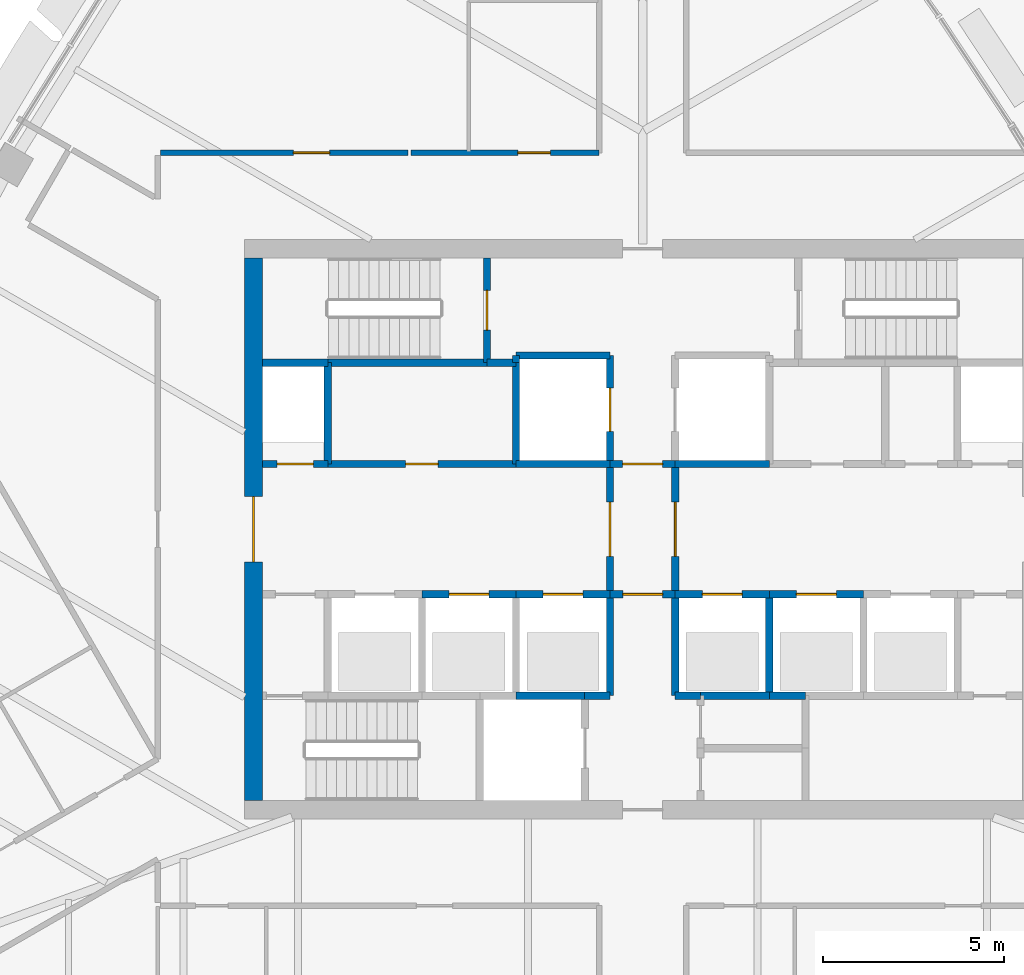
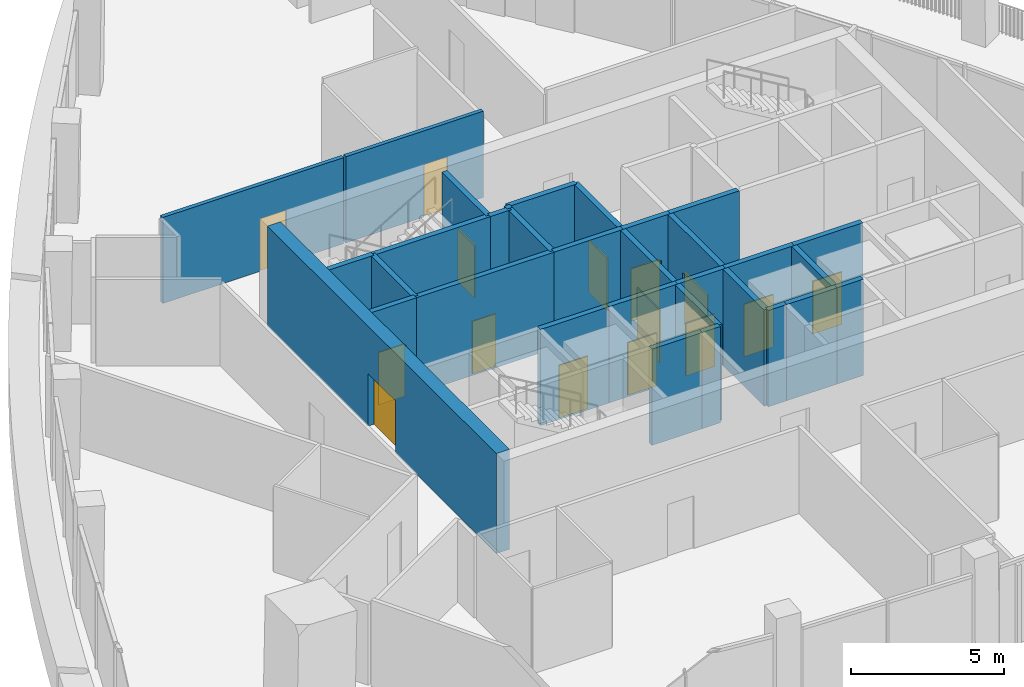
# One storey, part 11 of 18: 32 walls, 15 doors, 15 openings.
"""IFC4 building model written with IfcOpenShell, lengths in metres."""

from ifc_helpers import new_model, si_unit, direction, frame, frame_2d, origin, place, context, subcontext, project, spatial, rectangle, extrude, material, layer, layer_set, type_object, element, fill, save


model = new_model("IFC4")

# Units and contexts
model_context = context("Model", 3, precision=1e-05, world=origin(), true_north=direction((0.0, 1.0)))
body_context = subcontext(model_context, "Body", "Model", "MODEL_VIEW")
ifc_project = project(units=[si_unit("LENGTHUNIT", "METRE"), si_unit("AREAUNIT", "SQUARE_METRE"), si_unit("VOLUMEUNIT", "CUBIC_METRE"), si_unit("PLANEANGLEUNIT", "RADIAN"), si_unit("MASSUNIT", "GRAM", prefix="KILO")], contexts=[model_context])

# Site, building, storey
site_placement = place(None, origin())
site = spatial("IfcSite", under=ifc_project, at=site_placement, CompositionType="ELEMENT")
building_placement = place(site_placement, origin())
building = spatial("IfcBuilding", under=site, at=building_placement, Name="Sierra Prisma Convention Tower", CompositionType="ELEMENT")
storey_placement = place(building_placement, frame((0.0, 0.0, 291.0)))
storey = spatial("IfcBuildingStorey", under=building, at=storey_placement, Name="L66", CompositionType="ELEMENT", Elevation=291.0)

# Wall, opening, door
ifc_material_1 = material(Name="Concrete C30/37", Category="concrete")
ifc_layer_1 = layer(ifc_material_1, 0.199951171875)
ifc_layer_set_1 = layer_set([ifc_layer_1], Name="Core wall RC 200 C30/37")
wall_type_1 = type_object("IfcWallType", Name="Core wall RC 200 C30/37", PredefinedType="SOLIDWALL", material=ifc_layer_set_1)
wall_1_placement = place(storey_placement, frame((-8.699951171875, 1.800048828125, 0.0), z_axis=(0.0, 0.0, 1.0), x_axis=(-1.0, 0.0, 0.0)))
wall_1 = element("IfcWall", 1, at=wall_1_placement, inside=storey, type_object=wall_type_1, Name="Core wall L66 3", PredefinedType="SOLIDWALL", context=body_context, shape_type="SweptSolid", body=[
    extrude(rectangle(XDim=1.800048828125, YDim=0.199951171875, at=frame_2d((0.89990234375, 0.0))), origin(), (0.0, 0.0, 1.0), 3.85009765625),
])
opening_1_placement = place(wall_1_placement, frame((0.39990234375, 0.0, 0.0)))
opening_1 = element("IfcOpeningElement", 2, at=opening_1_placement, cuts=wall_1, Name="Opening L66-D018", PredefinedType="OPENING", context=body_context, shape_type="SweptSolid", body=[
    extrude(rectangle(XDim=1.0, YDim=2.10009765625, at=frame_2d((0.5, 1.050048828125))), frame((0.0, 0.10009765625, 0.0), z_axis=(0.0, -1.0, 0.0), x_axis=(1.0, 0.0, 0.0)), (0.0, 0.0, 1.0), 0.199951171875),
])
ifc_material_2 = material(Name="Steel fire door leaf", Category="steel")
door_type_1 = type_object("IfcDoorType", Name="Door 1000x2100 FD60S", OperationType="SINGLE_SWING_LEFT", PredefinedType="DOOR", material=ifc_material_2)
door_1_placement = place(opening_1_placement, origin())
door_1 = element("IfcDoor", 3, at=door_1_placement, inside=storey, type_object=door_type_1, Name="Door L66 26", OperationType="SINGLE_SWING_LEFT", OverallHeight=2.10009765625, OverallWidth=1.0, PredefinedType="DOOR", context=body_context, shape_type="SweptSolid", body=[
    extrude(rectangle(XDim=1.0, YDim=2.10009765625, at=frame_2d((0.5, 1.050048828125))), frame((0.0, 0.02490234375, 0.0), z_axis=(0.0, -1.0, 0.0), x_axis=(1.0, 0.0, 0.0)), (0.0, 0.0, 1.0), 0.050048828125),
])
fill(opening_1, door_1)

# Wall
wall_2_placement = place(storey_placement, frame((-8.699951171875, 4.60009765625, 0.0), z_axis=(0.0, 0.0, 1.0), x_axis=(-1.0, 0.0, 0.0)))
element("IfcWall", 4, at=wall_2_placement, inside=storey, type_object=wall_type_1, Name="Core wall L66 4", PredefinedType="SOLIDWALL", context=body_context, shape_type="SweptSolid", body=[
    extrude(rectangle(XDim=1.800048828125, YDim=0.199951171875, at=frame_2d((0.89990234375, 0.0))), origin(), (0.0, 0.0, 1.0), 3.85009765625),
])

# Wall, opening, door
wall_3_placement = place(storey_placement, frame((-8.699951171875, 1.800048828125, 0.0), z_axis=(0.0, 0.0, 1.0), x_axis=(1.0, 0.0, 0.0)))
wall_3 = element("IfcWall", 5, at=wall_3_placement, inside=storey, type_object=wall_type_1, Name="Core wall L66 8", PredefinedType="SOLIDWALL", context=body_context, shape_type="SweptSolid", body=[
    extrude(rectangle(XDim=5.199951171875, YDim=0.199951171875, at=frame_2d((2.60009765625, 0.0))), origin(), (0.0, 0.0, 1.0), 3.85009765625),
])
opening_2_placement = place(wall_3_placement, frame((2.14990234375, 0.0, 0.0)))
opening_2 = element("IfcOpeningElement", 6, at=opening_2_placement, cuts=wall_3, Name="Opening L66-D025", PredefinedType="OPENING", context=body_context, shape_type="SweptSolid", body=[
    extrude(rectangle(XDim=0.89990234375, YDim=2.10009765625, at=frame_2d((0.449951171875, 1.050048828125))), frame((0.0, 0.10009765625, 0.0), z_axis=(0.0, -1.0, 0.0), x_axis=(1.0, 0.0, 0.0)), (0.0, 0.0, 1.0), 0.199951171875),
])
ifc_material_3 = material(Name="Steel fire door leaf", Category="steel")
door_type_2 = type_object("IfcDoorType", Name="Door 900x2100 FD30S", OperationType="SINGLE_SWING_LEFT", PredefinedType="DOOR", material=ifc_material_3)
door_2_placement = place(opening_2_placement, origin())
door_2 = element("IfcDoor", 7, at=door_2_placement, inside=storey, type_object=door_type_2, Name="Door L66 33", OperationType="SINGLE_SWING_RIGHT", OverallHeight=2.10009765625, OverallWidth=0.89990234375, PredefinedType="DOOR", context=body_context, shape_type="SweptSolid", body=[
    extrude(rectangle(XDim=0.89990234375, YDim=2.10009765625, at=frame_2d((0.449951171875, 1.050048828125))), frame((0.0, 0.02490234375, 0.0), z_axis=(0.0, -1.0, 0.0), x_axis=(1.0, 0.0, 0.0)), (0.0, 0.0, 1.0), 0.050048828125),
])
fill(opening_2, door_2)

# Walls
wall_4_placement = place(storey_placement, frame((-8.699951171875, 4.60009765625, 0.0), z_axis=(0.0, 0.0, 1.0), x_axis=(0.0, -1.0, 0.0)))
element("IfcWall", 8, at=wall_4_placement, inside=storey, type_object=wall_type_1, Name="Core wall L66 9", PredefinedType="SOLIDWALL", context=body_context, shape_type="SweptSolid", body=[
    extrude(rectangle(XDim=2.800048828125, YDim=0.199951171875, at=frame_2d((1.39990234375, 0.0))), origin(), (0.0, 0.0, 1.0), 3.85009765625),
])
wall_5_placement = place(storey_placement, frame((-4.300048828125, 4.60009765625, 0.0), z_axis=(0.0, 0.0, 1.0), x_axis=(-1.0, 0.0, 0.0)))
element("IfcWall", 9, at=wall_5_placement, inside=storey, type_object=wall_type_1, Name="Core wall L66 10", PredefinedType="SOLIDWALL", context=body_context, shape_type="SweptSolid", body=[
    extrude(rectangle(XDim=4.39990234375, YDim=0.199951171875, at=frame_2d((2.199951171875, 0.0))), origin(), (0.0, 0.0, 1.0), 3.85009765625),
])

# Wall, opening, door
wall_6_placement = place(storey_placement, frame((-6.10009765625, -1.800048828125, 0.0), z_axis=(0.0, 0.0, 1.0), x_axis=(1.0, 0.0, 0.0)))
wall_6 = element("IfcWall", 10, at=wall_6_placement, inside=storey, type_object=wall_type_1, Name="Core wall L66 13", PredefinedType="SOLIDWALL", context=body_context, shape_type="SweptSolid", body=[
    extrude(rectangle(XDim=2.60009765625, YDim=0.199951171875, at=frame_2d((1.300048828125, 0.0))), origin(), (0.0, 0.0, 1.0), 3.85009765625),
])
opening_3_placement = place(wall_6_placement, frame((0.75, 0.0, 0.0)))
opening_3 = element("IfcOpeningElement", 11, at=opening_3_placement, cuts=wall_6, Name="Opening L66-D005", PredefinedType="OPENING", context=body_context, shape_type="SweptSolid", body=[
    extrude(rectangle(XDim=1.10009765625, YDim=2.10009765625, at=frame_2d((0.550048828125, 1.050048828125))), frame((0.0, 0.10009765625, 0.0), z_axis=(0.0, -1.0, 0.0), x_axis=(1.0, 0.0, 0.0)), (0.0, 0.0, 1.0), 0.199951171875),
])
ifc_material_4 = material(Name="Steel fire door leaf", Category="steel")
door_type_3 = type_object("IfcDoorType", Name="Door 1100x2100 EI 90 sliding lift landing", OperationType="SLIDING_TO_LEFT", PredefinedType="DOOR", material=ifc_material_4)
door_3_placement = place(opening_3_placement, origin())
door_3 = element("IfcDoor", 12, at=door_3_placement, inside=storey, type_object=door_type_3, Name="Door L66 13", OperationType="SLIDING_TO_RIGHT", OverallHeight=2.10009765625, OverallWidth=1.10009765625, PredefinedType="DOOR", context=body_context, shape_type="SweptSolid", body=[
    extrude(rectangle(XDim=1.10009765625, YDim=2.10009765625, at=frame_2d((0.550048828125, 1.050048828125))), frame((0.0, 0.02490234375, 0.0), z_axis=(0.0, -1.0, 0.0), x_axis=(1.0, 0.0, 0.0)), (0.0, 0.0, 1.0), 0.050048828125),
])
fill(opening_3, door_3)

# Wall
wall_7_placement = place(storey_placement, frame((-3.5, 4.60009765625, 0.0), z_axis=(0.0, 0.0, 1.0), x_axis=(-1.0, 0.0, 0.0)))
element("IfcWall", 13, at=wall_7_placement, inside=storey, type_object=wall_type_1, Name="Core wall L66 16", PredefinedType="SOLIDWALL", context=body_context, shape_type="SweptSolid", body=[
    extrude(rectangle(XDim=0.800048828125, YDim=0.199951171875, at=frame_2d((0.39990234375, 0.0))), origin(), (0.0, 0.0, 1.0), 3.85009765625),
])

# Wall, opening, door
wall_8_placement = place(storey_placement, frame((-4.300048828125, 4.60009765625, 0.0), z_axis=(0.0, 0.0, 1.0), x_axis=(0.0, 1.0, 0.0)))
wall_8 = element("IfcWall", 14, at=wall_8_placement, inside=storey, type_object=wall_type_1, Name="Core wall L66 17", PredefinedType="SOLIDWALL", context=body_context, shape_type="SweptSolid", body=[
    extrude(rectangle(XDim=2.89990234375, YDim=0.199951171875, at=frame_2d((1.449951171875, 0.0))), origin(), (0.0, 0.0, 1.0), 3.85009765625),
])
opening_4_placement = place(wall_8_placement, frame((0.89990234375, 0.0, 0.0)))
opening_4 = element("IfcOpeningElement", 15, at=opening_4_placement, cuts=wall_8, Name="Opening L66-D021", PredefinedType="OPENING", context=body_context, shape_type="SweptSolid", body=[
    extrude(rectangle(XDim=1.10009765625, YDim=2.10009765625, at=frame_2d((0.550048828125, 1.050048828125))), frame((0.0, 0.10009765625, 0.0), z_axis=(0.0, -1.0, 0.0), x_axis=(1.0, 0.0, 0.0)), (0.0, 0.0, 1.0), 0.199951171875),
])
ifc_material_5 = material(Name="Steel fire door leaf", Category="steel")
door_type_4 = type_object("IfcDoorType", Name="Door 1100x2100 FD90S", OperationType="SINGLE_SWING_LEFT", PredefinedType="DOOR", material=ifc_material_5)
door_4_placement = place(opening_4_placement, origin())
door_4 = element("IfcDoor", 16, at=door_4_placement, inside=storey, type_object=door_type_4, Name="Door L66 29", OperationType="SINGLE_SWING_LEFT", OverallHeight=2.10009765625, OverallWidth=1.10009765625, PredefinedType="DOOR", context=body_context, shape_type="SweptSolid", body=[
    extrude(rectangle(XDim=1.10009765625, YDim=2.10009765625, at=frame_2d((0.550048828125, 1.050048828125))), frame((0.0, 0.02490234375, 0.0), z_axis=(0.0, -1.0, 0.0), x_axis=(1.0, 0.0, 0.0)), (0.0, 0.0, 1.0), 0.050048828125),
])
fill(opening_4, door_4)

# Wall
wall_9_placement = place(storey_placement, frame((-3.5, -4.60009765625, 0.0), z_axis=(0.0, 0.0, 1.0), x_axis=(1.0, 0.0, 0.0)))
element("IfcWall", 17, at=wall_9_placement, inside=storey, type_object=wall_type_1, Name="Core wall L66 18", PredefinedType="SOLIDWALL", context=body_context, shape_type="SweptSolid", body=[
    extrude(rectangle(XDim=1.89990234375, YDim=0.199951171875, at=frame_2d((0.949951171875, 0.0))), origin(), (0.0, 0.0, 1.0), 3.85009765625),
])

# Wall, opening, door
wall_10_placement = place(storey_placement, frame((-3.5, -1.800048828125, 0.0), z_axis=(0.0, 0.0, 1.0), x_axis=(1.0, 0.0, 0.0)))
wall_10 = element("IfcWall", 18, at=wall_10_placement, inside=storey, type_object=wall_type_1, Name="Core wall L66 20", PredefinedType="SOLIDWALL", context=body_context, shape_type="SweptSolid", body=[
    extrude(rectangle(XDim=2.60009765625, YDim=0.199951171875, at=frame_2d((1.300048828125, 0.0))), origin(), (0.0, 0.0, 1.0), 3.85009765625),
])
opening_5_placement = place(wall_10_placement, frame((0.75, 0.0, 0.0)))
opening_5 = element("IfcOpeningElement", 19, at=opening_5_placement, cuts=wall_10, Name="Opening L66-D006", PredefinedType="OPENING", context=body_context, shape_type="SweptSolid", body=[
    extrude(rectangle(XDim=1.10009765625, YDim=2.10009765625, at=frame_2d((0.550048828125, 1.050048828125))), frame((0.0, 0.10009765625, 0.0), z_axis=(0.0, -1.0, 0.0), x_axis=(1.0, 0.0, 0.0)), (0.0, 0.0, 1.0), 0.199951171875),
])
door_5_placement = place(opening_5_placement, origin())
door_5 = element("IfcDoor", 20, at=door_5_placement, inside=storey, type_object=door_type_3, Name="Door L66 14", OperationType="SLIDING_TO_RIGHT", OverallHeight=2.10009765625, OverallWidth=1.10009765625, PredefinedType="DOOR", context=body_context, shape_type="SweptSolid", body=[
    extrude(rectangle(XDim=1.10009765625, YDim=2.10009765625, at=frame_2d((0.550048828125, 1.050048828125))), frame((0.0, 0.02490234375, 0.0), z_axis=(0.0, -1.0, 0.0), x_axis=(1.0, 0.0, 0.0)), (0.0, 0.0, 1.0), 0.050048828125),
])
fill(opening_5, door_5)

# Walls
wall_11_placement = place(storey_placement, frame((-0.89990234375, 1.800048828125, 0.0), z_axis=(0.0, 0.0, 1.0), x_axis=(-1.0, 0.0, 0.0)))
element("IfcWall", 21, at=wall_11_placement, inside=storey, type_object=wall_type_1, Name="Core wall L66 21", PredefinedType="SOLIDWALL", context=body_context, shape_type="SweptSolid", body=[
    extrude(rectangle(XDim=2.60009765625, YDim=0.199951171875, at=frame_2d((1.300048828125, 0.0))), origin(), (0.0, 0.0, 1.0), 3.85009765625),
])
wall_12_placement = place(storey_placement, frame((-3.5, 1.800048828125, 0.0), z_axis=(0.0, 0.0, 1.0), x_axis=(0.0, 1.0, 0.0)))
element("IfcWall", 22, at=wall_12_placement, inside=storey, type_object=wall_type_1, Name="Core wall L66 22", PredefinedType="SOLIDWALL", context=body_context, shape_type="SweptSolid", body=[
    extrude(rectangle(XDim=2.800048828125, YDim=0.199951171875, at=frame_2d((1.39990234375, 0.0))), origin(), (0.0, 0.0, 1.0), 3.85009765625),
])

# Wall, opening, door
wall_13_placement = place(storey_placement, frame((-0.89990234375, 1.800048828125, 0.0), z_axis=(0.0, 0.0, 1.0), x_axis=(0.0, 1.0, 0.0)))
wall_13 = element("IfcWall", 23, at=wall_13_placement, inside=storey, type_object=wall_type_1, Name="Core wall L66 23", PredefinedType="SOLIDWALL", context=body_context, shape_type="SweptSolid", body=[
    extrude(rectangle(XDim=3.0, YDim=0.199951171875, at=frame_2d((1.5, 0.0))), origin(), (0.0, 0.0, 1.0), 3.85009765625),
])
opening_6_placement = place(wall_13_placement, frame((0.89990234375, 0.0, 0.0)))
opening_6 = element("IfcOpeningElement", 24, at=opening_6_placement, cuts=wall_13, Name="Opening L66-D010", PredefinedType="OPENING", context=body_context, shape_type="SweptSolid", body=[
    extrude(rectangle(XDim=1.199951171875, YDim=2.10009765625, at=frame_2d((0.60009765625, 1.050048828125))), frame((0.0, 0.10009765625, 0.0), z_axis=(0.0, -1.0, 0.0), x_axis=(1.0, 0.0, 0.0)), (0.0, 0.0, 1.0), 0.199951171875),
])
ifc_material_6 = material(Name="Steel fire door leaf", Category="steel")
door_type_5 = type_object("IfcDoorType", Name="Door 1200x2100 EI 90 sliding lift landing", OperationType="SLIDING_TO_LEFT", PredefinedType="DOOR", material=ifc_material_6)
door_6_placement = place(opening_6_placement, origin())
door_6 = element("IfcDoor", 25, at=door_6_placement, inside=storey, type_object=door_type_5, Name="Door L66 18", OperationType="SLIDING_TO_RIGHT", OverallHeight=2.10009765625, OverallWidth=1.199951171875, PredefinedType="DOOR", context=body_context, shape_type="SweptSolid", body=[
    extrude(rectangle(XDim=1.199951171875, YDim=2.10009765625, at=frame_2d((0.60009765625, 1.050048828125))), frame((0.0, 0.02490234375, 0.0), z_axis=(0.0, -1.0, 0.0), x_axis=(1.0, 0.0, 0.0)), (0.0, 0.0, 1.0), 0.050048828125),
])
fill(opening_6, door_6)

# Walls
wall_14_placement = place(storey_placement, frame((-0.89990234375, 4.800048828125, 0.0), z_axis=(0.0, 0.0, 1.0), x_axis=(-1.0, 0.0, 0.0)))
element("IfcWall", 26, at=wall_14_placement, inside=storey, type_object=wall_type_1, Name="Core wall L66 24", PredefinedType="SOLIDWALL", context=body_context, shape_type="SweptSolid", body=[
    extrude(rectangle(XDim=2.60009765625, YDim=0.199951171875, at=frame_2d((1.300048828125, 0.0))), origin(), (0.0, 0.0, 1.0), 3.85009765625),
])
wall_15_placement = place(storey_placement, frame((-3.5, 4.800048828125, 0.0), z_axis=(0.0, 0.0, 1.0), x_axis=(0.0, -1.0, 0.0)))
element("IfcWall", 27, at=wall_15_placement, inside=storey, type_object=wall_type_1, Name="Core wall L66 25", PredefinedType="SOLIDWALL", context=body_context, shape_type="SweptSolid", body=[
    extrude(rectangle(XDim=0.199951171875, YDim=0.199951171875, at=frame_2d((0.10009765625, 0.0))), origin(), (0.0, 0.0, 1.0), 3.85009765625),
])
wall_16_placement = place(storey_placement, frame((-1.60009765625, -4.60009765625, 0.0), z_axis=(0.0, 0.0, 1.0), x_axis=(1.0, 0.0, 0.0)))
element("IfcWall", 28, at=wall_16_placement, inside=storey, type_object=wall_type_1, Name="Core wall L66 27", PredefinedType="SOLIDWALL", context=body_context, shape_type="SweptSolid", body=[
    extrude(rectangle(XDim=0.7001953125, YDim=0.199951171875, at=frame_2d((0.35009765625, 0.0))), origin(), (0.0, 0.0, 1.0), 3.85009765625),
])
wall_17_placement = place(storey_placement, frame((-0.89990234375, -4.60009765625, 0.0), z_axis=(0.0, 0.0, 1.0), x_axis=(0.0, 1.0, 0.0)))
element("IfcWall", 29, at=wall_17_placement, inside=storey, type_object=wall_type_1, Name="Core wall L66 28", PredefinedType="SOLIDWALL", context=body_context, shape_type="SweptSolid", body=[
    extrude(rectangle(XDim=2.800048828125, YDim=0.199951171875, at=frame_2d((1.39990234375, 0.0))), origin(), (0.0, 0.0, 1.0), 3.85009765625),
])

# Wall, opening, door
wall_18_placement = place(storey_placement, frame((-0.89990234375, -1.800048828125, 0.0), z_axis=(0.0, 0.0, 1.0), x_axis=(1.0, 0.0, 0.0)))
wall_18 = element("IfcWall", 30, at=wall_18_placement, inside=storey, type_object=wall_type_1, Name="Core wall L66 29", PredefinedType="SOLIDWALL", context=body_context, shape_type="SweptSolid", body=[
    extrude(rectangle(XDim=1.7998046875, YDim=0.199951171875, at=frame_2d((0.89990234375, 0.0))), origin(), (0.0, 0.0, 1.0), 3.85009765625),
])
opening_7_placement = place(wall_18_placement, frame((0.35009765625, 0.0, 0.0)))
opening_7 = element("IfcOpeningElement", 31, at=opening_7_placement, cuts=wall_18, Name="Opening L66-D017", PredefinedType="OPENING", context=body_context, shape_type="SweptSolid", body=[
    extrude(rectangle(XDim=1.10009765625, YDim=2.10009765625, at=frame_2d((0.550048828125, 1.050048828125))), frame((0.0, 0.10009765625, 0.0), z_axis=(0.0, -1.0, 0.0), x_axis=(1.0, 0.0, 0.0)), (0.0, 0.0, 1.0), 0.199951171875),
])
ifc_material_7 = material(Name="Steel fire door leaf", Category="steel")
door_type_6 = type_object("IfcDoorType", Name="Door 1100x2100 FD30S", OperationType="SINGLE_SWING_LEFT", PredefinedType="DOOR", material=ifc_material_7)
door_7_placement = place(opening_7_placement, origin())
door_7 = element("IfcDoor", 32, at=door_7_placement, inside=storey, type_object=door_type_6, Name="Door L66 25", OperationType="SINGLE_SWING_RIGHT", OverallHeight=2.10009765625, OverallWidth=1.10009765625, PredefinedType="DOOR", context=body_context, shape_type="SweptSolid", body=[
    extrude(rectangle(XDim=1.10009765625, YDim=2.10009765625, at=frame_2d((0.550048828125, 1.050048828125))), frame((0.0, 0.02490234375, 0.0), z_axis=(0.0, -1.0, 0.0), x_axis=(1.0, 0.0, 0.0)), (0.0, 0.0, 1.0), 0.050048828125),
])
fill(opening_7, door_7)

wall_19_placement = place(storey_placement, frame((-0.89990234375, 1.800048828125, 0.0), z_axis=(0.0, 0.0, 1.0), x_axis=(0.0, -1.0, 0.0)))
wall_19 = element("IfcWall", 33, at=wall_19_placement, inside=storey, type_object=wall_type_1, Name="Core wall L66 30", PredefinedType="SOLIDWALL", context=body_context, shape_type="SweptSolid", body=[
    extrude(rectangle(XDim=3.60009765625, YDim=0.199951171875, at=frame_2d((1.800048828125, 0.0))), origin(), (0.0, 0.0, 1.0), 3.85009765625),
])
opening_8_placement = place(wall_19_placement, frame((1.050048828125, 0.0, 0.0)))
opening_8 = element("IfcOpeningElement", 34, at=opening_8_placement, cuts=wall_19, Name="Opening L66-D013", PredefinedType="OPENING", context=body_context, shape_type="SweptSolid", body=[
    extrude(rectangle(XDim=1.5, YDim=2.10009765625, at=frame_2d((0.75, 1.050048828125))), frame((0.0, 0.10009765625, 0.0), z_axis=(0.0, -1.0, 0.0), x_axis=(1.0, 0.0, 0.0)), (0.0, 0.0, 1.0), 0.199951171875),
])
ifc_material_8 = material(Name="Steel fire door leaf", Category="steel")
door_type_7 = type_object("IfcDoorType", Name="Door 1500x2100 FD30S", OperationType="DOUBLE_DOOR_SINGLE_SWING", PredefinedType="DOOR", material=ifc_material_8)
door_8_placement = place(opening_8_placement, origin())
door_8 = element("IfcDoor", 35, at=door_8_placement, inside=storey, type_object=door_type_7, Name="Door L66 21", OperationType="DOUBLE_DOOR_SINGLE_SWING", OverallHeight=2.10009765625, OverallWidth=1.5, PredefinedType="DOOR", context=body_context, shape_type="SweptSolid", body=[
    extrude(rectangle(XDim=1.5, YDim=2.10009765625, at=frame_2d((0.75, 1.050048828125))), frame((0.0, 0.02490234375, 0.0), z_axis=(0.0, -1.0, 0.0), x_axis=(1.0, 0.0, 0.0)), (0.0, 0.0, 1.0), 0.050048828125),
])
fill(opening_8, door_8)

wall_20_placement = place(storey_placement, frame((0.89990234375, 1.800048828125, 0.0), z_axis=(0.0, 0.0, 1.0), x_axis=(-1.0, 0.0, 0.0)))
wall_20 = element("IfcWall", 36, at=wall_20_placement, inside=storey, type_object=wall_type_1, Name="Core wall L66 31", PredefinedType="SOLIDWALL", context=body_context, shape_type="SweptSolid", body=[
    extrude(rectangle(XDim=1.7998046875, YDim=0.199951171875, at=frame_2d((0.89990234375, 0.0))), origin(), (0.0, 0.0, 1.0), 3.85009765625),
])
opening_9_placement = place(wall_20_placement, frame((0.35009765625, 0.0, 0.0)))
opening_9 = element("IfcOpeningElement", 37, at=opening_9_placement, cuts=wall_20, Name="Opening L66-D016", PredefinedType="OPENING", context=body_context, shape_type="SweptSolid", body=[
    extrude(rectangle(XDim=1.10009765625, YDim=2.10009765625, at=frame_2d((0.550048828125, 1.050048828125))), frame((0.0, 0.10009765625, 0.0), z_axis=(0.0, -1.0, 0.0), x_axis=(1.0, 0.0, 0.0)), (0.0, 0.0, 1.0), 0.199951171875),
])
ifc_material_9 = material(Name="Steel fire door leaf", Category="steel")
door_type_8 = type_object("IfcDoorType", Name="Door 1100x2100 FD60S", OperationType="SINGLE_SWING_LEFT", PredefinedType="DOOR", material=ifc_material_9)
door_9_placement = place(opening_9_placement, origin())
door_9 = element("IfcDoor", 38, at=door_9_placement, inside=storey, type_object=door_type_8, Name="Door L66 24", OperationType="SINGLE_SWING_LEFT", OverallHeight=2.10009765625, OverallWidth=1.10009765625, PredefinedType="DOOR", context=body_context, shape_type="SweptSolid", body=[
    extrude(rectangle(XDim=1.10009765625, YDim=2.10009765625, at=frame_2d((0.550048828125, 1.050048828125))), frame((0.0, 0.02490234375, 0.0), z_axis=(0.0, -1.0, 0.0), x_axis=(1.0, 0.0, 0.0)), (0.0, 0.0, 1.0), 0.050048828125),
])
fill(opening_9, door_9)

wall_21_placement = place(storey_placement, frame((0.89990234375, -1.800048828125, 0.0), z_axis=(0.0, 0.0, 1.0), x_axis=(1.0, 0.0, 0.0)))
wall_21 = element("IfcWall", 39, at=wall_21_placement, inside=storey, type_object=wall_type_1, Name="Core wall L66 32", PredefinedType="SOLIDWALL", context=body_context, shape_type="SweptSolid", body=[
    extrude(rectangle(XDim=2.60009765625, YDim=0.199951171875, at=frame_2d((1.300048828125, 0.0))), origin(), (0.0, 0.0, 1.0), 3.85009765625),
])
opening_10_placement = place(wall_21_placement, frame((0.75, 0.0, 0.0)))
opening_10 = element("IfcOpeningElement", 40, at=opening_10_placement, cuts=wall_21, Name="Opening L66-D007", PredefinedType="OPENING", context=body_context, shape_type="SweptSolid", body=[
    extrude(rectangle(XDim=1.10009765625, YDim=2.10009765625, at=frame_2d((0.550048828125, 1.050048828125))), frame((0.0, 0.10009765625, 0.0), z_axis=(0.0, -1.0, 0.0), x_axis=(1.0, 0.0, 0.0)), (0.0, 0.0, 1.0), 0.199951171875),
])
door_10_placement = place(opening_10_placement, origin())
door_10 = element("IfcDoor", 41, at=door_10_placement, inside=storey, type_object=door_type_3, Name="Door L66 15", OperationType="SLIDING_TO_LEFT", OverallHeight=2.10009765625, OverallWidth=1.10009765625, PredefinedType="DOOR", context=body_context, shape_type="SweptSolid", body=[
    extrude(rectangle(XDim=1.10009765625, YDim=2.10009765625, at=frame_2d((0.550048828125, 1.050048828125))), frame((0.0, 0.02490234375, 0.0), z_axis=(0.0, -1.0, 0.0), x_axis=(1.0, 0.0, 0.0)), (0.0, 0.0, 1.0), 0.050048828125),
])
fill(opening_10, door_10)

wall_22_placement = place(storey_placement, frame((0.89990234375, -1.800048828125, 0.0), z_axis=(0.0, 0.0, 1.0), x_axis=(0.0, 1.0, 0.0)))
wall_22 = element("IfcWall", 42, at=wall_22_placement, inside=storey, type_object=wall_type_1, Name="Core wall L66 33", PredefinedType="SOLIDWALL", context=body_context, shape_type="SweptSolid", body=[
    extrude(rectangle(XDim=3.60009765625, YDim=0.199951171875, at=frame_2d((1.800048828125, 0.0))), origin(), (0.0, 0.0, 1.0), 3.85009765625),
])
opening_11_placement = place(wall_22_placement, frame((1.050048828125, 0.0, 0.0)))
opening_11 = element("IfcOpeningElement", 43, at=opening_11_placement, cuts=wall_22, Name="Opening L66-D014", PredefinedType="OPENING", context=body_context, shape_type="SweptSolid", body=[
    extrude(rectangle(XDim=1.5, YDim=2.10009765625, at=frame_2d((0.75, 1.050048828125))), frame((0.0, 0.10009765625, 0.0), z_axis=(0.0, -1.0, 0.0), x_axis=(1.0, 0.0, 0.0)), (0.0, 0.0, 1.0), 0.199951171875),
])
door_11_placement = place(opening_11_placement, origin())
door_11 = element("IfcDoor", 44, at=door_11_placement, inside=storey, type_object=door_type_7, Name="Door L66 22", OperationType="DOUBLE_DOOR_SINGLE_SWING", OverallHeight=2.10009765625, OverallWidth=1.5, PredefinedType="DOOR", context=body_context, shape_type="SweptSolid", body=[
    extrude(rectangle(XDim=1.5, YDim=2.10009765625, at=frame_2d((0.75, 1.050048828125))), frame((0.0, 0.02490234375, 0.0), z_axis=(0.0, -1.0, 0.0), x_axis=(1.0, 0.0, 0.0)), (0.0, 0.0, 1.0), 0.050048828125),
])
fill(opening_11, door_11)

# Walls
wall_23_placement = place(storey_placement, frame((0.89990234375, -1.800048828125, 0.0), z_axis=(0.0, 0.0, 1.0), x_axis=(0.0, -1.0, 0.0)))
element("IfcWall", 45, at=wall_23_placement, inside=storey, type_object=wall_type_1, Name="Core wall L66 34", PredefinedType="SOLIDWALL", context=body_context, shape_type="SweptSolid", body=[
    extrude(rectangle(XDim=2.800048828125, YDim=0.199951171875, at=frame_2d((1.39990234375, 0.0))), origin(), (0.0, 0.0, 1.0), 3.85009765625),
])
wall_24_placement = place(storey_placement, frame((0.89990234375, -4.60009765625, 0.0), z_axis=(0.0, 0.0, 1.0), x_axis=(1.0, 0.0, 0.0)))
element("IfcWall", 46, at=wall_24_placement, inside=storey, type_object=wall_type_1, Name="Core wall L66 35", PredefinedType="SOLIDWALL", context=body_context, shape_type="SweptSolid", body=[
    extrude(rectangle(XDim=0.7001953125, YDim=0.199951171875, at=frame_2d((0.35009765625, 0.0))), origin(), (0.0, 0.0, 1.0), 3.85009765625),
])
wall_25_placement = place(storey_placement, frame((3.5, 1.800048828125, 0.0), z_axis=(0.0, 0.0, 1.0), x_axis=(-1.0, 0.0, 0.0)))
element("IfcWall", 47, at=wall_25_placement, inside=storey, type_object=wall_type_1, Name="Core wall L66 36", PredefinedType="SOLIDWALL", context=body_context, shape_type="SweptSolid", body=[
    extrude(rectangle(XDim=2.60009765625, YDim=0.199951171875, at=frame_2d((1.300048828125, 0.0))), origin(), (0.0, 0.0, 1.0), 3.85009765625),
])
wall_26_placement = place(storey_placement, frame((3.5, -4.60009765625, 0.0), z_axis=(0.0, 0.0, 1.0), x_axis=(-1.0, 0.0, 0.0)))
element("IfcWall", 48, at=wall_26_placement, inside=storey, type_object=wall_type_1, Name="Core wall L66 43", PredefinedType="SOLIDWALL", context=body_context, shape_type="SweptSolid", body=[
    extrude(rectangle(XDim=1.89990234375, YDim=0.199951171875, at=frame_2d((0.949951171875, 0.0))), origin(), (0.0, 0.0, 1.0), 3.85009765625),
])
wall_27_placement = place(storey_placement, frame((4.5, -4.60009765625, 0.0), z_axis=(0.0, 0.0, 1.0), x_axis=(-1.0, 0.0, 0.0)))
element("IfcWall", 49, at=wall_27_placement, inside=storey, type_object=wall_type_1, Name="Core wall L66 44", PredefinedType="SOLIDWALL", context=body_context, shape_type="SweptSolid", body=[
    extrude(rectangle(XDim=1.0, YDim=0.199951171875, at=frame_2d((0.5, 0.0))), origin(), (0.0, 0.0, 1.0), 3.85009765625),
])
wall_28_placement = place(storey_placement, frame((3.5, -4.60009765625, 0.0), z_axis=(0.0, 0.0, 1.0), x_axis=(0.0, 1.0, 0.0)))
element("IfcWall", 50, at=wall_28_placement, inside=storey, type_object=wall_type_1, Name="Core wall L66 45", PredefinedType="SOLIDWALL", context=body_context, shape_type="SweptSolid", body=[
    extrude(rectangle(XDim=2.800048828125, YDim=0.199951171875, at=frame_2d((1.39990234375, 0.0))), origin(), (0.0, 0.0, 1.0), 3.85009765625),
])

# Wall, opening, door
wall_29_placement = place(storey_placement, frame((3.5, -1.800048828125, 0.0), z_axis=(0.0, 0.0, 1.0), x_axis=(1.0, 0.0, 0.0)))
wall_29 = element("IfcWall", 51, at=wall_29_placement, inside=storey, type_object=wall_type_1, Name="Core wall L66 46", PredefinedType="SOLIDWALL", context=body_context, shape_type="SweptSolid", body=[
    extrude(rectangle(XDim=2.60009765625, YDim=0.199951171875, at=frame_2d((1.300048828125, 0.0))), origin(), (0.0, 0.0, 1.0), 3.85009765625),
])
opening_12_placement = place(wall_29_placement, frame((0.75, 0.0, 0.0)))
opening_12 = element("IfcOpeningElement", 52, at=opening_12_placement, cuts=wall_29, Name="Opening L66-D008", PredefinedType="OPENING", context=body_context, shape_type="SweptSolid", body=[
    extrude(rectangle(XDim=1.10009765625, YDim=2.10009765625, at=frame_2d((0.550048828125, 1.050048828125))), frame((0.0, 0.10009765625, 0.0), z_axis=(0.0, -1.0, 0.0), x_axis=(1.0, 0.0, 0.0)), (0.0, 0.0, 1.0), 0.199951171875),
])
door_12_placement = place(opening_12_placement, origin())
door_12 = element("IfcDoor", 53, at=door_12_placement, inside=storey, type_object=door_type_3, Name="Door L66 16", OperationType="SLIDING_TO_LEFT", OverallHeight=2.10009765625, OverallWidth=1.10009765625, PredefinedType="DOOR", context=body_context, shape_type="SweptSolid", body=[
    extrude(rectangle(XDim=1.10009765625, YDim=2.10009765625, at=frame_2d((0.550048828125, 1.050048828125))), frame((0.0, 0.02490234375, 0.0), z_axis=(0.0, -1.0, 0.0), x_axis=(1.0, 0.0, 0.0)), (0.0, 0.0, 1.0), 0.050048828125),
])
fill(opening_12, door_12)

ifc_material_10 = material(Name="Concrete C50/60", Category="concrete")
ifc_layer_2 = layer(ifc_material_10, 0.5)
ifc_layer_set_2 = layer_set([ifc_layer_2], Name="Core wall RC 500 C50/60")
wall_type_2 = type_object("IfcWallType", Name="Core wall RC 500 C50/60", PredefinedType="SHEAR", material=ifc_layer_set_2)
wall_30_placement = place(storey_placement, frame((-10.75, -7.5, 0.0), z_axis=(0.0, 0.0, 1.0), x_axis=(0.0, 1.0, 0.0)))
wall_30 = element("IfcWall", 54, at=wall_30_placement, inside=storey, type_object=wall_type_2, Name="Core wall W L66", PredefinedType="SHEAR", context=body_context, shape_type="SweptSolid", body=[
    extrude(rectangle(XDim=15.0, YDim=0.5, at=frame_2d((7.5, 0.0))), origin(), (0.0, 0.0, 1.0), 4.0),
])
opening_13_placement = place(wall_30_placement, frame((6.60009765625, 0.0, 0.0)))
opening_13 = element("IfcOpeningElement", 55, at=opening_13_placement, cuts=wall_30, Name="Opening L66-D044", PredefinedType="OPENING", context=body_context, shape_type="SweptSolid", body=[
    extrude(rectangle(XDim=1.800048828125, YDim=2.10009765625, at=frame_2d((0.89990234375, 1.050048828125))), frame((0.0, 0.25, 0.0), z_axis=(0.0, -1.0, 0.0), x_axis=(1.0, 0.0, 0.0)), (0.0, 0.0, 1.0), 0.5),
])
ifc_material_11 = material(Name="Steel fire door leaf", Category="steel")
door_type_9 = type_object("IfcDoorType", Name="Door 1800x2100 FD60S", OperationType="DOUBLE_DOOR_SINGLE_SWING", PredefinedType="DOOR", material=ifc_material_11)
door_13_placement = place(opening_13_placement, origin())
door_13 = element("IfcDoor", 56, at=door_13_placement, inside=storey, type_object=door_type_9, Name="Door L66 38", OperationType="DOUBLE_DOOR_SINGLE_SWING", OverallHeight=2.10009765625, OverallWidth=1.800048828125, PredefinedType="DOOR", context=body_context, shape_type="SweptSolid", body=[
    extrude(rectangle(XDim=1.800048828125, YDim=2.10009765625, at=frame_2d((0.89990234375, 1.050048828125))), frame((0.0, 0.02490234375, 0.0), z_axis=(0.0, -1.0, 0.0), x_axis=(1.0, 0.0, 0.0)), (0.0, 0.0, 1.0), 0.050048828125),
])
fill(opening_13, door_13)

ifc_material_12 = material(Name="Gypsum board partition", Category="gypsum")
ifc_layer_3 = layer(ifc_material_12, 0.14990234375)
ifc_layer_set_3 = layer_set([ifc_layer_3], Name="Corridor wall 150 gypsum EI 60")
wall_type_3 = type_object("IfcWallType", Name="Corridor wall 150 gypsum EI 60", PredefinedType="PARTITIONING", material=ifc_layer_set_3)
wall_31_placement = place(storey_placement, frame((-6.47998046875, 10.39990234375, 0.0), z_axis=(0.0, 0.0, 1.0), x_axis=(-1.0, 0.0, 0.0)))
wall_31 = element("IfcWall", 57, at=wall_31_placement, inside=storey, type_object=wall_type_3, Name="Partition L66 corr 12", PredefinedType="PARTITIONING", context=body_context, shape_type="SweptSolid", body=[
    extrude(rectangle(XDim=6.840087890625, YDim=0.14990234375, at=frame_2d((3.419921875, 0.0))), origin(), (0.0, 0.0, 1.0), 3.443115234375),
])
opening_14_placement = place(wall_31_placement, frame((2.169921875, 0.0, 0.0)))
opening_14 = element("IfcOpeningElement", 58, at=opening_14_placement, cuts=wall_31, Name="Opening L66-D032", PredefinedType="OPENING", context=body_context, shape_type="SweptSolid", body=[
    extrude(rectangle(XDim=1.0, YDim=2.10009765625, at=frame_2d((0.5, 1.050048828125))), frame((0.0, 0.074951171875, 0.0), z_axis=(0.0, -1.0, 0.0), x_axis=(1.0, 0.0, 0.0)), (0.0, 0.0, 1.0), 0.14990234375),
])
ifc_material_13 = material(Name="Steel fire door leaf", Category="steel")
door_type_10 = type_object("IfcDoorType", Name="Door 1000x2100 FD30S", OperationType="SINGLE_SWING_LEFT", PredefinedType="DOOR", material=ifc_material_13)
door_14_placement = place(opening_14_placement, origin())
door_14 = element("IfcDoor", 59, at=door_14_placement, inside=storey, type_object=door_type_10, Name="Door L66 3", OperationType="SINGLE_SWING_RIGHT", OverallHeight=2.10009765625, OverallWidth=1.0, PredefinedType="DOOR", context=body_context, shape_type="SweptSolid", body=[
    extrude(rectangle(XDim=1.0, YDim=2.10009765625, at=frame_2d((0.5, 1.050048828125))), frame((0.0, 0.02490234375, 0.0), z_axis=(0.0, -1.0, 0.0), x_axis=(1.0, 0.0, 0.0)), (0.0, 0.0, 1.0), 0.050048828125),
])
fill(opening_14, door_14)

wall_32_placement = place(storey_placement, frame((-1.199951171875, 10.39990234375, 0.0), z_axis=(0.0, 0.0, 1.0), x_axis=(-1.0, 0.0, 0.0)))
wall_32 = element("IfcWall", 60, at=wall_32_placement, inside=storey, type_object=wall_type_3, Name="Partition L66 corr 14", PredefinedType="PARTITIONING", context=body_context, shape_type="SweptSolid", body=[
    extrude(rectangle(XDim=5.199951171875, YDim=0.14990234375, at=frame_2d((2.60009765625, 0.0))), origin(), (0.0, 0.0, 1.0), 3.449951171875),
])
opening_15_placement = place(wall_32_placement, frame((1.35009765625, 0.0, 0.0)))
opening_15 = element("IfcOpeningElement", 61, at=opening_15_placement, cuts=wall_32, Name="Opening L66-D031", PredefinedType="OPENING", context=body_context, shape_type="SweptSolid", body=[
    extrude(rectangle(XDim=0.89990234375, YDim=2.10009765625, at=frame_2d((0.449951171875, 1.050048828125))), frame((0.0, 0.074951171875, 0.0), z_axis=(0.0, -1.0, 0.0), x_axis=(1.0, 0.0, 0.0)), (0.0, 0.0, 1.0), 0.14990234375),
])
door_15_placement = place(opening_15_placement, origin())
door_15 = element("IfcDoor", 62, at=door_15_placement, inside=storey, type_object=door_type_2, Name="Door L66 2", OperationType="SINGLE_SWING_LEFT", OverallHeight=2.10009765625, OverallWidth=0.89990234375, PredefinedType="DOOR", context=body_context, shape_type="SweptSolid", body=[
    extrude(rectangle(XDim=0.89990234375, YDim=2.10009765625, at=frame_2d((0.449951171875, 1.050048828125))), frame((0.0, 0.02490234375, 0.0), z_axis=(0.0, -1.0, 0.0), x_axis=(1.0, 0.0, 0.0)), (0.0, 0.0, 1.0), 0.050048828125),
])
fill(opening_15, door_15)

save(model, "model.ifc")
